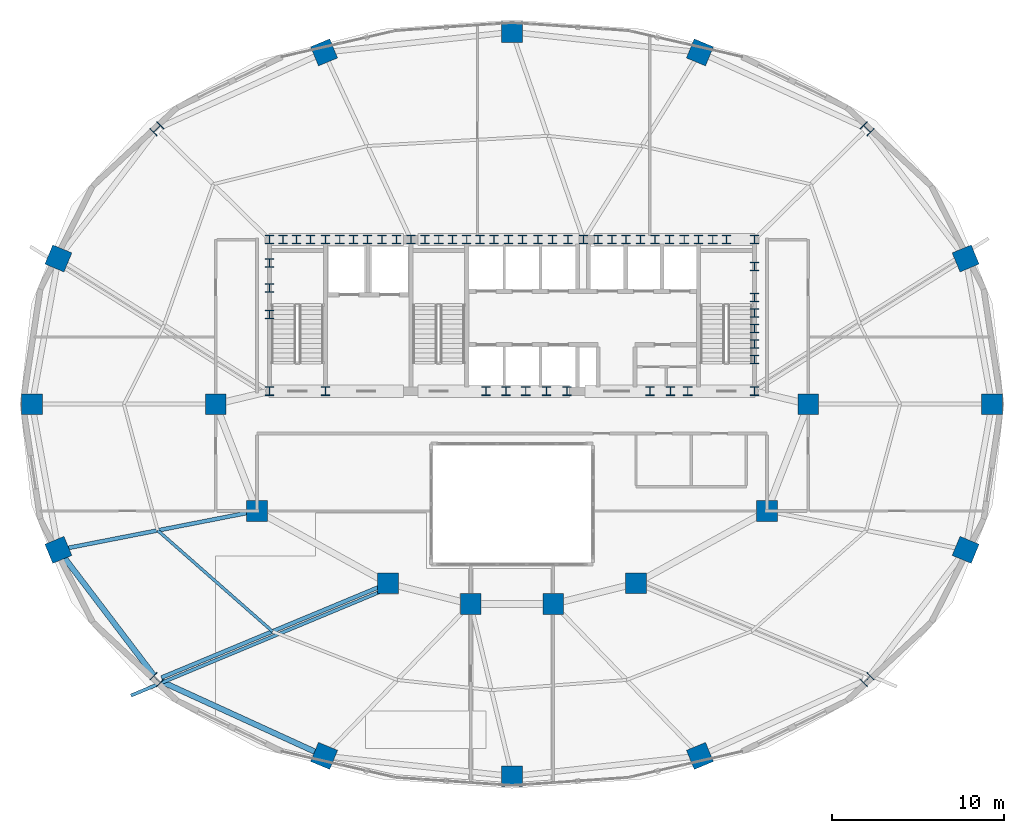
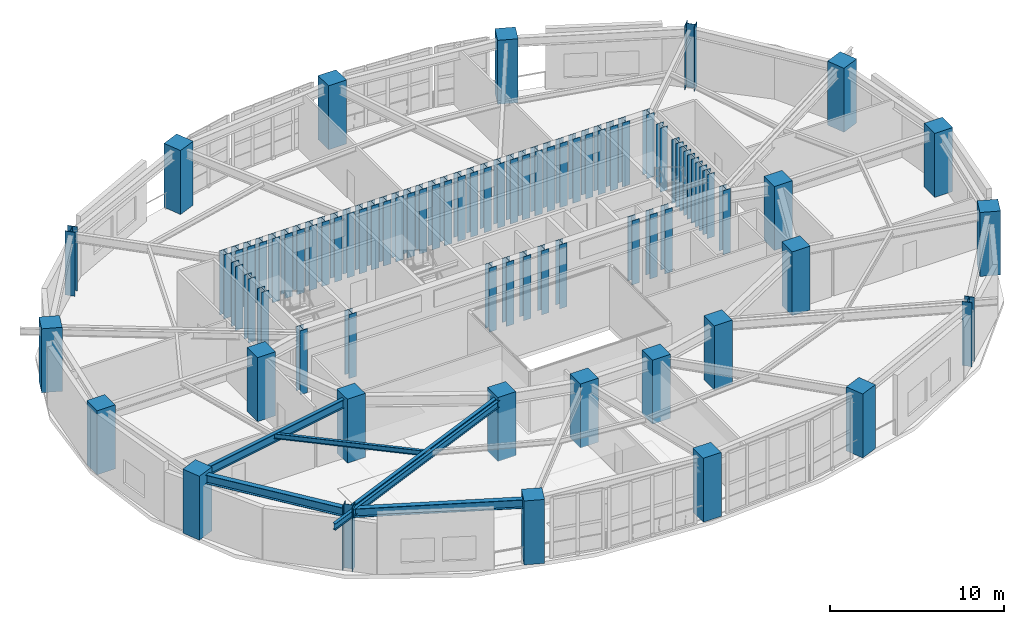
# One storey, part 1 of 15: 78 columns, 6 beams.
"""IFC4 building model written with IfcOpenShell, lengths in metres."""

import ifcopenshell
import ifcopenshell.guid

model = None  # the IFC model being written
_history = None  # IfcOwnerHistory: only IFC2X3 demands one
_inside = {}  # id of a spatial element -> (the spatial element, [elements in it])
_under = {}  # id of a project, library or spatial element -> (it, [spatial elements below it])
_declared = {}  # id of a project -> (the project, [libraries it declares])
_typed = {}  # id of a type object -> (the type object, [elements of that type])
_made_of = {}  # id of a material, layer set ... -> (it, [elements and type objects made of it])


def new_model(schema):
    """Start an empty IFC model of exactly this schema.

    Asked for "IFC4X3", IfcOpenShell would pick the latest addendum, in which some entities
    have other attributes; the version numbers below select the first issue.
    IFC2X3 requires an IfcOwnerHistory on every rooted entity: one is made here for all.
    """
    global model, _history
    if schema == "IFC4X3":
        model = ifcopenshell.file(schema_version=(4, 3, 0, 0))
    else:
        model = ifcopenshell.file(schema=schema)
    _inside.clear()
    _under.clear()
    _declared.clear()
    _typed.clear()
    _made_of.clear()
    _history = None
    if model.schema == "IFC2X3":
        org = make("IfcOrganization", Name="unknown")
        user = make(
            "IfcPersonAndOrganization",
            ThePerson=make("IfcPerson", FamilyName="unknown"),
            TheOrganization=org,
        )
        app = make(
            "IfcApplication",
            ApplicationDeveloper=org,
            Version="unknown",
            ApplicationFullName="unknown",
            ApplicationIdentifier="unknown",
        )
        _history = make(
            "IfcOwnerHistory",
            OwningUser=user,
            OwningApplication=app,
            ChangeAction="ADDED",
            CreationDate=0,
        )
    return model


def make(cls, **values):
    """One entity of the class cls with the attributes given. An attribute that is None is left unset."""
    return model.create_entity(
        cls, **{name: value for name, value in values.items() if value is not None}
    )


def rooted(cls, **values):
    """An entity with a GlobalId (a new one), such as an element, a storey or a relation."""
    return make(cls, GlobalId=ifcopenshell.guid.new(), OwnerHistory=_history, **values)


def si_unit(unit_type, name, prefix=None):
    """IfcSIUnit, for example si_unit("LENGTHUNIT", "METRE", prefix="MILLI")."""
    return make("IfcSIUnit", UnitType=unit_type, Prefix=prefix, Name=name)


def assignment(units):
    """IfcUnitAssignment: the units of a project."""
    return None if units is None else make("IfcUnitAssignment", Units=units)


def point(xyz):
    """IfcCartesianPoint."""
    return None if xyz is None else make("IfcCartesianPoint", Coordinates=xyz)


def direction(xyz):
    """IfcDirection."""
    return None if xyz is None else make("IfcDirection", DirectionRatios=xyz)


def frame(location, z_axis=None, x_axis=None):
    """IfcAxis2Placement3D, a coordinate frame: its origin and axes. An axis left out is left unset."""
    return make(
        "IfcAxis2Placement3D",
        Location=point(location),
        Axis=direction(z_axis),
        RefDirection=direction(x_axis),
    )


def frame_2d(location, x_axis=None):
    """IfcAxis2Placement2D, a coordinate frame in the plane: its origin and x axis."""
    return make(
        "IfcAxis2Placement2D", Location=point(location), RefDirection=direction(x_axis)
    )


def origin():
    """The frame at (0, 0, 0) with its axes left unset."""
    return frame((0.0, 0.0, 0.0))


def origin_2d():
    """The frame at (0, 0) in the plane with its x axis left unset."""
    return frame_2d((0.0, 0.0))


def place(relative_to, where):
    """IfcLocalPlacement: puts the frame where relative to a parent placement (None: the world)."""
    return make(
        "IfcLocalPlacement", PlacementRelTo=relative_to, RelativePlacement=where
    )


def context(
    kind, dimensions, precision=None, world=None, true_north=None, identifier=None
):
    """IfcGeometricRepresentationContext, for example the 3D "Model" context."""
    return make(
        "IfcGeometricRepresentationContext",
        ContextIdentifier=identifier,
        ContextType=kind,
        CoordinateSpaceDimension=dimensions,
        Precision=precision,
        WorldCoordinateSystem=world,
        TrueNorth=true_north,
    )


def subcontext(parent, identifier, kind, view, scale=None):
    """IfcGeometricRepresentationSubContext, for example "Body" below "Model"."""
    return make(
        "IfcGeometricRepresentationSubContext",
        ContextIdentifier=identifier,
        ContextType=kind,
        ParentContext=parent,
        TargetScale=scale,
        TargetView=view,
    )


def project(units=None, contexts=None):
    """IfcProject with its units and contexts."""
    return rooted(
        "IfcProject",
        Name="project",
        RepresentationContexts=contexts,
        UnitsInContext=assignment(units),
    )


def spatial(cls, under=None, at=None, **own):
    """A site, building, storey or space (cls), placed at a placement, below another one or the project."""
    s = rooted(cls, ObjectPlacement=at, **own)
    if under is not None:
        _under.setdefault(under.id(), (under, []))[1].append(s)
    return s


def profile(cls, at=None, kind="AREA", **sizes):
    """A parametric profile (cls). Its sizes go by their IFC names, for example OverallWidth=200.0."""
    return make(cls, ProfileType=kind, Position=at, **sizes)


def rectangle(**sizes):
    """IfcRectangleProfileDef."""
    return profile("IfcRectangleProfileDef", **sizes)


def i_section(**sizes):
    """IfcIShapeProfileDef."""
    return profile("IfcIShapeProfileDef", **sizes)


def extrude(swept, where, along, depth):
    """IfcExtrudedAreaSolid: the profile swept, set in the frame where, extruded along a direction by depth."""
    return make(
        "IfcExtrudedAreaSolid",
        SweptArea=swept,
        Position=where,
        ExtrudedDirection=direction(along),
        Depth=depth,
    )


def shape(context_of_items, identifier, shape_type, items):
    """IfcShapeRepresentation: the items that make up one representation, for example the "Body"."""
    return make(
        "IfcShapeRepresentation",
        ContextOfItems=context_of_items,
        RepresentationIdentifier=identifier,
        RepresentationType=shape_type,
        Items=items,
    )


def material(Name=None, Category=None):
    """IfcMaterial."""
    return make("IfcMaterial", Name=Name, Category=Category)


def material_profile(
    of_material, cross_section, Name=None, Category=None, Priority=None
):
    """IfcMaterialProfile: a cross section and its material."""
    return make(
        "IfcMaterialProfile",
        Name=Name,
        Material=of_material,
        Profile=cross_section,
        Priority=Priority,
        Category=Category,
    )


def profile_set(profiles, Name=None, composite=None):
    """IfcMaterialProfileSet."""
    return make(
        "IfcMaterialProfileSet",
        Name=Name,
        MaterialProfiles=profiles,
        CompositeProfile=composite,
    )


def made_of(thing, what):
    """Note that an element or type object is made of a material, layer set ...; save() writes the relation."""
    if what is not None:
        _made_of.setdefault(what.id(), (what, []))[1].append(thing)
    return thing


def type_object(cls, material=None, **own):
    """A type object (cls), such as IfcWallType, which elements share."""
    return made_of(rooted(cls, **own), material)


def element(
    cls,
    number,
    at=None,
    inside=None,
    cuts=None,
    type_object=None,
    material=None,
    context=None,
    identifier="Body",
    shape_type=None,
    held_by="IfcProductDefinitionShape",
    body=None,
    shapes=None,
    **own,
):
    """One element of the class cls, such as IfcWall. Its Tag is "e" and its number.

    at: its placement. inside: the storey or other place that contains it. cuts: it is an
    opening in that element (IfcRelVoidsElement). A single representation is given by context,
    identifier, shape_type and body (its items); several are given by shapes. held_by: the class
    of the entity that holds the representations. save() writes the other relations.
    """
    e = rooted(cls, Tag="e%d" % number, ObjectPlacement=at, **own)
    if body is not None:
        shapes = [shape(context, identifier, shape_type, body)]
    if shapes is not None:
        e.Representation = make(held_by, Representations=shapes)
    if inside is not None:
        _inside.setdefault(inside.id(), (inside, []))[1].append(e)
    if cuts is not None:
        rooted(
            "IfcRelVoidsElement", RelatingBuildingElement=cuts, RelatedOpeningElement=e
        )
    if type_object is not None:
        _typed.setdefault(type_object.id(), (type_object, []))[1].append(e)
    return made_of(e, material)


def aggregate(whole, parts):
    """IfcRelAggregates: a whole, such as a stair, and the parts it consists of."""
    return rooted("IfcRelAggregates", RelatingObject=whole, RelatedObjects=parts)


def save(model, path):
    """Write the relations noted so far, then the file.

    IfcRelAggregates (storeys below a building ...), IfcRelContainedInSpatialStructure (elements
    in a storey), IfcRelDefinesByType, IfcRelAssociatesMaterial and IfcRelDeclares: one each for
    every whole, place, type object, material and project.
    """
    for whole, parts in _under.values():
        aggregate(whole, parts)
    for where, things in _inside.values():
        rooted(
            "IfcRelContainedInSpatialStructure",
            RelatedElements=things,
            RelatingStructure=where,
        )
    for kind, things in _typed.values():
        rooted("IfcRelDefinesByType", RelatedObjects=things, RelatingType=kind)
    for what, things in _made_of.values():
        rooted("IfcRelAssociatesMaterial", RelatedObjects=things, RelatingMaterial=what)
    for by, libraries in _declared.values():
        rooted("IfcRelDeclares", RelatingContext=by, RelatedDefinitions=libraries)
    model.write(path)


model = new_model("IFC4")

# Units and contexts
model_context = context("Model", 3, precision=1e-05, world=origin(), true_north=direction((0.0, 1.0)))
body_context = subcontext(model_context, "Body", "Model", "MODEL_VIEW")
ifc_project = project(units=[si_unit("LENGTHUNIT", "METRE"), si_unit("AREAUNIT", "SQUARE_METRE"), si_unit("VOLUMEUNIT", "CUBIC_METRE"), si_unit("PLANEANGLEUNIT", "RADIAN"), si_unit("MASSUNIT", "GRAM", prefix="KILO")], contexts=[model_context])

# Site, building, storey
site_placement = place(None, origin())
site = spatial("IfcSite", under=ifc_project, at=site_placement, CompositionType="ELEMENT")
building_placement = place(site_placement, origin())
building = spatial("IfcBuilding", under=site, at=building_placement, Name="Haldorwick Loom Tower", CompositionType="ELEMENT")
storey_placement = place(building_placement, frame((0.0, 0.0, 105.949951171875)))
storey = spatial("IfcBuildingStorey", under=building, at=storey_placement, Name="L28", CompositionType="ELEMENT", Elevation=105.949951171875)

# Columns
ifc_material_1 = material(Name="Concrete C60 (60 MPa)", Category="concrete")
ifc_material_profile_1 = material_profile(ifc_material_1, rectangle(XDim=1.199951171875, YDim=1.199951171875, at=origin_2d()), Name="RC1200X1200", Category="concrete")
ifc_profile_set_1 = profile_set([ifc_material_profile_1], Name="Concrete C60 (60 MPa)")
column_type_1 = type_object("IfcColumnType", Name="STR-COL-RC1200", PredefinedType="COLUMN", material=ifc_profile_set_1)
for number, where, z_axis, x_axis, name in (
    (1, (53.199951171875, 26.0, 0.0), (0.0, 0.0, 1.0), (1.0, 0.0, 0.0), "L28 Inner Column IC-01"),
    (2, (50.800048828125, 19.800048828125, 0.0), (0.0, 0.0, 1.0), (1.0, 0.0, 0.0), "L28 Inner Column IC-02"),
    (3, (43.199951171875, 15.60009765625, 0.0), (0.0, 0.0, 1.0), (1.0, 0.0, 0.0), "L28 Inner Column IC-03"),
    (4, (38.39990234375, 14.39990234375, 0.0), (0.0, 0.0, 1.0), (1.0, 0.0, 0.0), "L28 Inner Column IC-04"),
    (5, (33.60009765625, 14.39990234375, 0.0), (0.0, 0.0, 1.0), (1.0, 0.0, 0.0), "L28 Inner Column IC-05"),
    (6, (28.800048828125, 15.60009765625, 0.0), (0.0, 0.0, 1.0), (1.0, 0.0, 0.0), "L28 Inner Column IC-06"),
    (7, (21.199951171875, 19.800048828125, 0.0), (0.0, 0.0, 1.0), (1.0, 0.0, 0.0), "L28 Inner Column IC-07"),
    (8, (18.800048828125, 26.0, 0.0), (0.0, 0.0, 1.0), (1.0, 0.0, 0.0), "L28 Inner Column IC-08"),
    (9, (63.857666015625, 26.0, 0.0), (0.0, 0.0, 1.0), (1.0, 0.0, 0.0), "L28 Perimeter Pier Column P01"),
    (10, (62.33056640625, 34.457275390625, 0.0), (0.0, 0.0, 1.0), (0.923879532511, 0.382683432365, 0.0), "L28 Perimeter Pier Column P02"),
    (11, (46.906494140625, 46.417724609375, 0.0), (0.0, 0.0, 1.0), (0.382683432365, 0.923879532511, 0.0), "L28 Perimeter Pier Column P04"),
    (12, (36.0, 47.598388671875, 0.0), (0.0, 0.0, 1.0), (0.0, 1.0, 0.0), "L28 Perimeter Pier Column P05"),
    (13, (25.093505859375, 46.417724609375, 0.0), (0.0, 0.0, 1.0), (-0.382683432365, 0.923879532511, 0.0), "L28 Perimeter Pier Column P06"),
    (14, (9.66943359375, 34.457275390625, 0.0), (0.0, 0.0, 1.0), (-0.923879532511, 0.382683432365, 0.0), "L28 Perimeter Pier Column P08"),
    (15, (8.142333984375, 26.0, 0.0), (0.0, 0.0, 1.0), (-1.0, 0.0, 0.0), "L28 Perimeter Pier Column P09"),
    (16, (9.66943359375, 17.542724609375, 0.0), (0.0, 0.0, 1.0), (-0.923879532511, -0.382683432365, 0.0), "L28 Perimeter Pier Column P10"),
    (17, (25.093505859375, 5.582275390625, 0.0), (0.0, 0.0, 1.0), (-0.382683432365, -0.923879532511, 0.0), "L28 Perimeter Pier Column P12"),
    (18, (36.0, 4.401611328125, 0.0), (0.0, 0.0, 1.0), (0.0, -1.0, 0.0), "L28 Perimeter Pier Column P13"),
    (19, (46.906494140625, 5.582275390625, 0.0), (0.0, 0.0, 1.0), (0.382683432365, -0.923879532511, 0.0), "L28 Perimeter Pier Column P14"),
    (20, (62.33056640625, 17.542724609375, 0.0), (0.0, 0.0, 1.0), (0.923879532511, -0.382683432365, 0.0), "L28 Perimeter Pier Column P16"),
):
    element("IfcColumn", number, at=place(storey_placement, frame(where, z_axis=z_axis, x_axis=x_axis)), inside=storey, type_object=column_type_1, Name=name, PredefinedType="COLUMN", context=body_context, shape_type="SweptSolid", body=[
        extrude(rectangle(XDim=1.199951171875, YDim=1.199951171875, at=origin_2d()), origin(), (0.0, 0.0, 1.0), 4.5),
    ])
ifc_material_2 = material(Name="Steel CSA G40.21 350WT", Category="steel")
ifc_material_profile_2 = material_profile(ifc_material_2, i_section(OverallWidth=0.5, OverallDepth=0.5, WebThickness=0.02197265625, FlangeThickness=0.031982421875, at=origin_2d()), Name="WWF500X500", Category="steel")
ifc_profile_set_2 = profile_set([ifc_material_profile_2], Name="Steel CSA G40.21 350WT")
column_type_2 = type_object("IfcColumnType", Name="STR-COL-WWF500", PredefinedType="COLUMN", material=ifc_profile_set_2)
for number, where, z_axis, x_axis, name in (
    (21, (21.929931640625, 35.550048828125, 0.0), (0.0, 0.0, 1.0), (1.0, 0.0, 0.0), "L28 Core Pilaster CB-01"),
    (22, (23.5, 35.550048828125, 0.0), (0.0, 0.0, 1.0), (1.0, 0.0, 0.0), "L28 Core Pilaster CB-02"),
    (23, (25.169921875, 35.550048828125, 0.0), (0.0, 0.0, 1.0), (1.0, 0.0, 0.0), "L28 Core Pilaster CB-03"),
    (24, (26.800048828125, 35.550048828125, 0.0), (0.0, 0.0, 1.0), (1.0, 0.0, 0.0), "L28 Core Pilaster CB-04"),
    (25, (28.449951171875, 35.550048828125, 0.0), (0.0, 0.0, 1.0), (1.0, 0.0, 0.0), "L28 Core Pilaster CB-05"),
    (26, (30.1298828125, 35.550048828125, 0.0), (0.0, 0.0, 1.0), (1.0, 0.0, 0.0), "L28 Core Pilaster CB-06"),
    (27, (31.75, 35.550048828125, 0.0), (0.0, 0.0, 1.0), (1.0, 0.0, 0.0), "L28 Core Pilaster CB-07"),
    (28, (33.3701171875, 35.550048828125, 0.0), (0.0, 0.0, 1.0), (1.0, 0.0, 0.0), "L28 Core Pilaster CB-08"),
    (29, (34.949951171875, 35.550048828125, 0.0), (0.0, 0.0, 1.0), (1.0, 0.0, 0.0), "L28 Core Pilaster CB-09"),
    (30, (36.60009765625, 35.550048828125, 0.0), (0.0, 0.0, 1.0), (1.0, 0.0, 0.0), "L28 Core Pilaster CB-10"),
    (31, (38.35009765625, 35.550048828125, 0.0), (0.0, 0.0, 1.0), (1.0, 0.0, 0.0), "L28 Core Pilaster CB-11"),
    (32, (40.14990234375, 35.550048828125, 0.0), (0.0, 0.0, 1.0), (1.0, 0.0, 0.0), "L28 Core Pilaster CB-12"),
    (33, (41.800048828125, 35.550048828125, 0.0), (0.0, 0.0, 1.0), (1.0, 0.0, 0.0), "L28 Core Pilaster CB-13"),
    (34, (43.449951171875, 35.550048828125, 0.0), (0.0, 0.0, 1.0), (1.0, 0.0, 0.0), "L28 Core Pilaster CB-14"),
    (35, (45.14990234375, 35.550048828125, 0.0), (0.0, 0.0, 1.0), (1.0, 0.0, 0.0), "L28 Core Pilaster CB-15"),
    (36, (46.830078125, 35.550048828125, 0.0), (0.0, 0.0, 1.0), (1.0, 0.0, 0.0), "L28 Core Pilaster CB-16"),
    (37, (48.449951171875, 35.550048828125, 0.0), (0.0, 0.0, 1.0), (1.0, 0.0, 0.0), "L28 Core Pilaster CB-17"),
    (38, (50.070068359375, 35.550048828125, 0.0), (0.0, 0.0, 1.0), (1.0, 0.0, 0.0), "L28 Core Pilaster CB-18"),
    (39, (21.929931640625, 26.75, 0.0), (0.0, 0.0, 1.0), (1.0, 0.0, 0.0), "L28 Core Pilaster CB-19"),
    (40, (25.169921875, 26.75, 0.0), (0.0, 0.0, 1.0), (1.0, 0.0, 0.0), "L28 Core Pilaster CB-20"),
    (41, (34.5, 26.75, 0.0), (0.0, 0.0, 1.0), (1.0, 0.0, 0.0), "L28 Core Pilaster CB-21"),
    (42, (36.800048828125, 26.75, 0.0), (0.0, 0.0, 1.0), (1.0, 0.0, 0.0), "L28 Core Pilaster CB-22"),
    (43, (39.199951171875, 26.75, 0.0), (0.0, 0.0, 1.0), (1.0, 0.0, 0.0), "L28 Core Pilaster CB-23"),
    (44, (45.199951171875, 26.75, 0.0), (0.0, 0.0, 1.0), (1.0, 0.0, 0.0), "L28 Core Pilaster CB-24"),
    (45, (50.070068359375, 26.75, 0.0), (0.0, 0.0, 1.0), (1.0, 0.0, 0.0), "L28 Core Pilaster CB-25"),
    (46, (21.929931640625, 31.199951171875, 0.0), (0.0, 0.0, 1.0), (1.0, 0.0, 0.0), "L28 Core Pilaster CB-26"),
    (47, (21.929931640625, 32.75, 0.0), (0.0, 0.0, 1.0), (1.0, 0.0, 0.0), "L28 Core Pilaster CB-27"),
    (48, (21.929931640625, 34.199951171875, 0.0), (0.0, 0.0, 1.0), (1.0, 0.0, 0.0), "L28 Core Pilaster CB-28"),
    (49, (50.070068359375, 28.60009765625, 0.0), (0.0, 0.0, 1.0), (1.0, 0.0, 0.0), "L28 Core Pilaster CB-29"),
    (50, (50.070068359375, 30.39990234375, 0.0), (0.0, 0.0, 1.0), (1.0, 0.0, 0.0), "L28 Core Pilaster CB-30"),
    (51, (50.070068359375, 32.199951171875, 0.0), (0.0, 0.0, 1.0), (1.0, 0.0, 0.0), "L28 Core Pilaster CB-31"),
    (52, (50.070068359375, 34.0, 0.0), (0.0, 0.0, 1.0), (1.0, 0.0, 0.0), "L28 Core Pilaster CB-32"),
    (53, (22.699951171875, 35.550048828125, 0.0), (0.0, 0.0, 1.0), (1.0, 0.0, 0.0), "L28 Core Pilaster CB-33"),
    (54, (27.6201171875, 35.550048828125, 0.0), (0.0, 0.0, 1.0), (1.0, 0.0, 0.0), "L28 Core Pilaster CB-34"),
    (55, (32.550048828125, 35.550048828125, 0.0), (0.0, 0.0, 1.0), (1.0, 0.0, 0.0), "L28 Core Pilaster CB-35"),
    (56, (37.5, 35.550048828125, 0.0), (0.0, 0.0, 1.0), (1.0, 0.0, 0.0), "L28 Core Pilaster CB-36"),
    (57, (42.6201171875, 35.550048828125, 0.0), (0.0, 0.0, 1.0), (1.0, 0.0, 0.0), "L28 Core Pilaster CB-37"),
    (58, (47.64990234375, 35.550048828125, 0.0), (0.0, 0.0, 1.0), (1.0, 0.0, 0.0), "L28 Core Pilaster CB-38"),
    (59, (24.300048828125, 35.550048828125, 0.0), (0.0, 0.0, 1.0), (1.0, 0.0, 0.0), "L28 Core Pilaster CB-39"),
    (60, (26.0, 35.550048828125, 0.0), (0.0, 0.0, 1.0), (1.0, 0.0, 0.0), "L28 Core Pilaster CB-40"),
    (61, (29.300048828125, 35.550048828125, 0.0), (0.0, 0.0, 1.0), (1.0, 0.0, 0.0), "L28 Core Pilaster CB-41"),
    (62, (30.949951171875, 35.550048828125, 0.0), (0.0, 0.0, 1.0), (1.0, 0.0, 0.0), "L28 Core Pilaster CB-42"),
    (63, (34.14990234375, 35.550048828125, 0.0), (0.0, 0.0, 1.0), (1.0, 0.0, 0.0), "L28 Core Pilaster CB-43"),
    (64, (35.800048828125, 35.550048828125, 0.0), (0.0, 0.0, 1.0), (1.0, 0.0, 0.0), "L28 Core Pilaster CB-44"),
    (65, (39.25, 35.550048828125, 0.0), (0.0, 0.0, 1.0), (1.0, 0.0, 0.0), "L28 Core Pilaster CB-45"),
    (66, (41.0, 35.550048828125, 0.0), (0.0, 0.0, 1.0), (1.0, 0.0, 0.0), "L28 Core Pilaster CB-46"),
    (67, (44.300048828125, 35.550048828125, 0.0), (0.0, 0.0, 1.0), (1.0, 0.0, 0.0), "L28 Core Pilaster CB-47"),
    (68, (46.0, 35.550048828125, 0.0), (0.0, 0.0, 1.0), (1.0, 0.0, 0.0), "L28 Core Pilaster CB-48"),
    (69, (50.070068359375, 29.5, 0.0), (0.0, 0.0, 1.0), (1.0, 0.0, 0.0), "L28 Core Pilaster CB-49"),
    (70, (50.070068359375, 31.300048828125, 0.0), (0.0, 0.0, 1.0), (1.0, 0.0, 0.0), "L28 Core Pilaster CB-50"),
    (71, (35.64990234375, 26.75, 0.0), (0.0, 0.0, 1.0), (1.0, 0.0, 0.0), "L28 Core Pilaster CB-51"),
    (72, (38.0, 26.75, 0.0), (0.0, 0.0, 1.0), (1.0, 0.0, 0.0), "L28 Core Pilaster CB-52"),
    (73, (44.0, 26.75, 0.0), (0.0, 0.0, 1.0), (1.0, 0.0, 0.0), "L28 Core Pilaster CB-53"),
    (74, (46.199951171875, 26.75, 0.0), (0.0, 0.0, 1.0), (1.0, 0.0, 0.0), "L28 Core Pilaster CB-54"),
):
    element("IfcColumn", number, at=place(storey_placement, frame(where, z_axis=z_axis, x_axis=x_axis)), inside=storey, type_object=column_type_2, Name=name, PredefinedType="COLUMN", context=body_context, shape_type="SweptSolid", body=[
        extrude(i_section(OverallWidth=0.5, OverallDepth=0.5, WebThickness=0.02197265625, FlangeThickness=0.031982421875, at=origin_2d()), origin(), (0.0, 0.0, 1.0), 4.5),
    ])
ifc_material_profile_3 = material_profile(ifc_material_2, i_section(OverallWidth=0.60009765625, OverallDepth=0.60009765625, WebThickness=0.02490234375, FlangeThickness=0.035888671875, at=origin_2d()), Name="WWF600X600", Category="steel")
ifc_profile_set_3 = profile_set([ifc_material_profile_3], Name="Steel CSA G40.21 350WT")
column_type_3 = type_object("IfcColumnType", Name="STR-COL-WWF600", PredefinedType="COLUMN", material=ifc_profile_set_3)
for number, where, z_axis, x_axis, name in (
    (75, (56.606689453125, 41.981689453125, 0.0), (0.0, 0.0, 1.0), (0.707106781187, 0.707106781187, 0.0), "L28 Perimeter Pier Column P03"),
    (76, (15.393310546875, 41.981689453125, 0.0), (0.0, 0.0, 1.0), (-0.707106781187, 0.707106781187, 0.0), "L28 Perimeter Pier Column P07"),
    (77, (15.393310546875, 10.018310546875, 0.0), (0.0, 0.0, 1.0), (-0.707106781187, -0.707106781187, 0.0), "L28 Perimeter Pier Column P11"),
    (78, (56.606689453125, 10.018310546875, 0.0), (0.0, 0.0, 1.0), (0.707106781187, -0.707106781187, 0.0), "L28 Perimeter Pier Column P15"),
):
    element("IfcColumn", number, at=place(storey_placement, frame(where, z_axis=z_axis, x_axis=x_axis)), inside=storey, type_object=column_type_3, Name=name, PredefinedType="COLUMN", context=body_context, shape_type="SweptSolid", body=[
        extrude(i_section(OverallWidth=0.60009765625, OverallDepth=0.60009765625, WebThickness=0.02490234375, FlangeThickness=0.035888671875, at=origin_2d()), origin(), (0.0, 0.0, 1.0), 4.5),
    ])

# Beams
ifc_material_3 = material(Name="Steel CSA G40.21 350W", Category="steel")
ifc_material_profile_4 = material_profile(ifc_material_3, i_section(OverallWidth=0.193115234375, OverallDepth=0.466064453125, WebThickness=0.011474609375, FlangeThickness=0.01904296875, at=origin_2d()), Name="W460X97", Category="steel")
ifc_profile_set_4 = profile_set([ifc_material_profile_4], Name="Steel CSA G40.21 350W")
beam_type_1 = type_object("IfcBeamType", Name="STR-BM-BAL460", PredefinedType="BEAM", material=ifc_profile_set_4)
beam_1_placement = place(storey_placement, frame((28.427490234375, 15.1416015625, 4.027099609375), z_axis=(-0.923185561192, -0.38435454935, 0.0), x_axis=(0.38435454935, -0.923185561192, 0.0)))
element("IfcBeam", 79, at=beam_1_placement, inside=storey, type_object=beam_type_1, Name="L28 Continuous Back-Spanned Balcony Beam 2", PredefinedType="BEAM", context=body_context, shape_type="SweptSolid", body=[
    extrude(i_section(OverallWidth=0.193115234375, OverallDepth=0.466064453125, WebThickness=0.011474609375, FlangeThickness=0.01904296875, at=origin_2d()), origin(), (0.0, 0.0, 1.0), 15.752197265625),
])
ifc_material_profile_5 = material_profile(ifc_material_3, i_section(OverallWidth=0.172119140625, OverallDepth=0.35791015625, WebThickness=0.0078125, FlangeThickness=0.01318359375, at=origin_2d()), Name="W360X57", Category="steel")
ifc_profile_set_5 = profile_set([ifc_material_profile_5], Name="Steel CSA G40.21 350W")
beam_type_2 = type_object("IfcBeamType", Name="STR-BM-J360", PredefinedType="JOIST", material=ifc_profile_set_5)
beam_2_placement = place(storey_placement, frame((15.434814453125, 18.67138671875, 4.0810546875), z_axis=(0.750721157729, -0.660619212057, 0.0), x_axis=(0.660619212057, 0.750721157729, 0.0)))
element("IfcBeam", 80, at=beam_2_placement, inside=storey, type_object=beam_type_2, Name="L28 Mid-Bay Secondary Joist 10", PredefinedType="JOIST", context=body_context, shape_type="SweptSolid", body=[
    extrude(i_section(OverallWidth=0.172119140625, OverallDepth=0.35791015625, WebThickness=0.0078125, FlangeThickness=0.01318359375, at=origin_2d()), origin(), (0.0, 0.0, 1.0), 8.8740234375),
])
ifc_material_profile_6 = material_profile(ifc_material_3, i_section(OverallWidth=0.324951171875, OverallDepth=0.615966796875, WebThickness=0.013916015625, FlangeThickness=0.021484375, at=origin_2d()), Name="W610X174", Category="steel")
ifc_profile_set_6 = profile_set([ifc_material_profile_6], Name="Steel CSA G40.21 350W")
beam_type_3 = type_object("IfcBeamType", Name="STR-BM-SP610", PredefinedType="SPANDREL", material=ifc_profile_set_6)
beam_3_placement = place(storey_placement, frame((9.984130859375, 17.12890625, 3.9521484375), z_axis=(0.605453508047, -0.795880675475, 0.0), x_axis=(0.795880675475, 0.605453508047, 0.0)))
element("IfcBeam", 81, at=beam_3_placement, inside=storey, type_object=beam_type_3, Name="L28 Perimeter Spandrel 10", PredefinedType="SPANDREL", context=body_context, shape_type="SweptSolid", body=[
    extrude(i_section(OverallWidth=0.324951171875, OverallDepth=0.615966796875, WebThickness=0.013916015625, FlangeThickness=0.021484375, at=origin_2d()), origin(), (0.0, 0.0, 1.0), 8.6591796875),
])
beam_4_placement = place(storey_placement, frame((15.643310546875, 9.90380859375, 3.9521484375), z_axis=(0.909423969306, -0.415870225011, 0.0), x_axis=(0.415870225011, 0.909423969306, 0.0)))
element("IfcBeam", 82, at=beam_4_placement, inside=storey, type_object=beam_type_3, Name="L28 Perimeter Spandrel 11", PredefinedType="SPANDREL", context=body_context, shape_type="SweptSolid", body=[
    extrude(i_section(OverallWidth=0.324951171875, OverallDepth=0.615966796875, WebThickness=0.013916015625, FlangeThickness=0.021484375, at=origin_2d()), origin(), (0.0, 0.0, 1.0), 9.871337890625),
])
ifc_material_profile_7 = material_profile(ifc_material_3, i_section(OverallWidth=0.22998046875, OverallDepth=0.616943359375, WebThickness=0.01318359375, FlangeThickness=0.022216796875, at=origin_2d()), Name="W610X140", Category="steel")
ifc_profile_set_7 = profile_set([ifc_material_profile_7], Name="Steel CSA G40.21 350W")
beam_type_4 = type_object("IfcBeamType", Name="STR-BM-W610B", PredefinedType="BEAM", material=ifc_profile_set_7)
beam_5_placement = place(storey_placement, frame((20.689697265625, 19.7001953125, 3.95166015625), z_axis=(-0.981369581426, -0.192129499692, 0.0), x_axis=(0.192129499692, -0.981369581426, 0.0)))
element("IfcBeam", 83, at=beam_5_placement, inside=storey, type_object=beam_type_4, Name="L28 Radial Floor Girder 10", PredefinedType="BEAM", context=body_context, shape_type="SweptSolid", body=[
    extrude(i_section(OverallWidth=0.22998046875, OverallDepth=0.616943359375, WebThickness=0.01318359375, FlangeThickness=0.022216796875, at=origin_2d()), origin(), (0.0, 0.0, 1.0), 10.70947265625),
])
beam_6_placement = place(storey_placement, frame((28.31982421875, 15.400146484375, 3.95166015625), z_axis=(-0.923183704764, -0.384359008297, 0.0), x_axis=(0.384359008297, -0.923183704764, 0.0)))
element("IfcBeam", 84, at=beam_6_placement, inside=storey, type_object=beam_type_4, Name="L28 Radial Floor Girder 11", PredefinedType="BEAM", context=body_context, shape_type="SweptSolid", body=[
    extrude(i_section(OverallWidth=0.22998046875, OverallDepth=0.616943359375, WebThickness=0.01318359375, FlangeThickness=0.022216796875, at=origin_2d()), origin(), (0.0, 0.0, 1.0), 13.72705078125),
])

save(model, "model.ifc")
